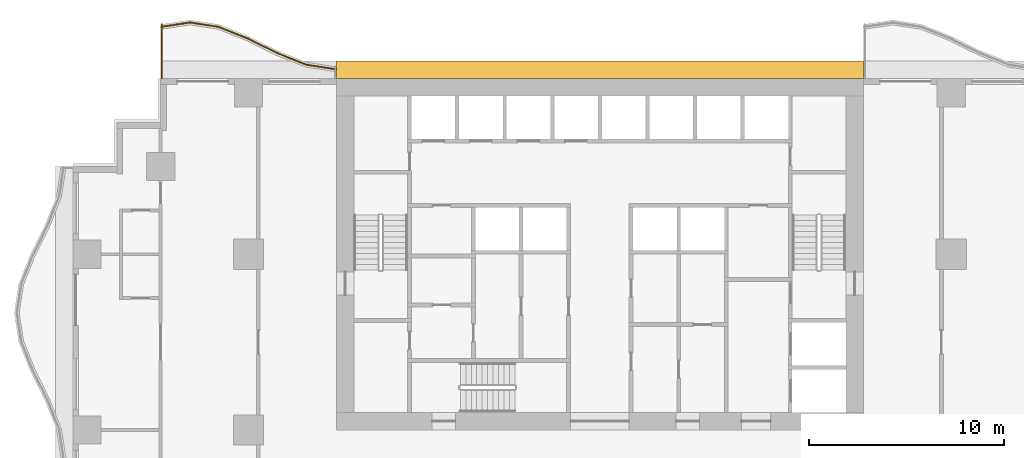
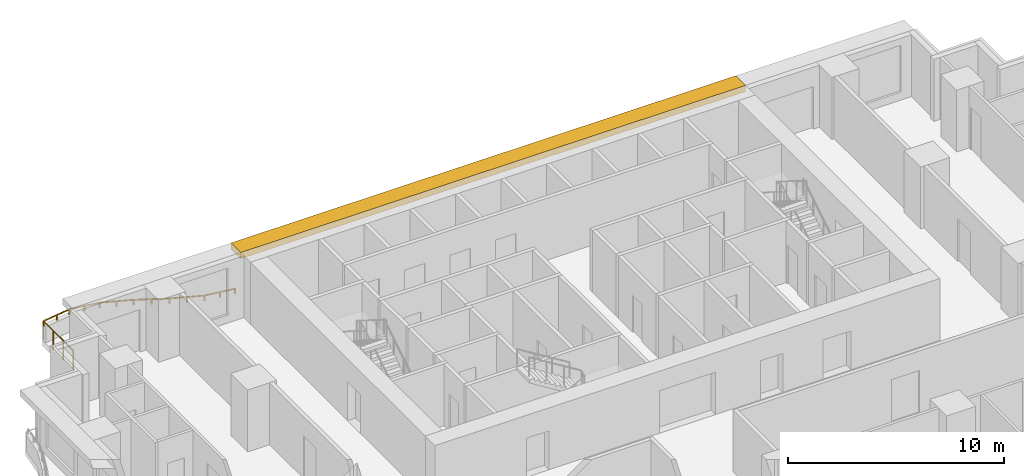
# One storey, part 13 of 14: 2 railings, 1 shading device.
"""IFC4 building model written with IfcOpenShell, lengths in metres."""

from ifc_helpers import new_model, si_unit, direction, frame, origin, origin_2d, place, context, subcontext, project, spatial, polyline, rectangle, outline, extrude, material, layer, layer_set, type_object, element, save


model = new_model("IFC4")

# Units and contexts
model_context = context("Model", 3, precision=1e-05, world=origin(), true_north=direction((0.0, 1.0)))
body_context = subcontext(model_context, "Body", "Model", "MODEL_VIEW")
ifc_project = project(units=[si_unit("LENGTHUNIT", "METRE"), si_unit("AREAUNIT", "SQUARE_METRE"), si_unit("VOLUMEUNIT", "CUBIC_METRE"), si_unit("PLANEANGLEUNIT", "RADIAN"), si_unit("MASSUNIT", "GRAM", prefix="KILO")], contexts=[model_context])

# Site, building, storey
site_placement = place(None, origin())
site = spatial("IfcSite", under=ifc_project, at=site_placement, CompositionType="ELEMENT")
building_placement = place(site_placement, origin())
building = spatial("IfcBuilding", under=site, at=building_placement, Name="Orbiselva Terraces", CompositionType="ELEMENT")
storey_placement = place(building_placement, frame((0.0, 0.0, 37.8)))
storey = spatial("IfcBuildingStorey", under=building, at=storey_placement, Name="L09", CompositionType="ELEMENT", Elevation=37.8)

# Railings
ifc_material_1 = material(Name="Bonded two-ply safety glass balustrade, stainless steel posts", Category="steel")
railing_type_1 = type_object("IfcRailingType", Name="ENV-BALUSTRADE-1200", PredefinedType="BALUSTRADE", material=ifc_material_1)
railing_1_placement = place(storey_placement, frame((-13.518879, 22.976434, 0.9)))
element("IfcRailing", 1, at=railing_1_placement, inside=storey, type_object=railing_type_1, Name="Balcony balustrade L09 NW", PredefinedType="BALUSTRADE", context=body_context, shape_type="SweptSolid", body=[
    extrude(outline(polyline([(0.028868, 0.0), (0.014434, 0.025), (-0.014434, 0.025), (-0.028868, 0.0), (-0.014434, -0.025), (0.014434, -0.025), (0.028868, 0.0)])), frame((0.0, 0.0, 0.275), z_axis=(-0.988528588529, 0.151033869252, 0.0), x_axis=(-0.151033869252, -0.988528588529, 0.0)), (0.0, 0.0, 1.0), 1.531776),
    extrude(outline(polyline([(0.028868, 0.0), (0.014434, 0.025), (-0.014434, 0.025), (-0.028868, 0.0), (-0.014434, -0.025), (0.014434, -0.025), (0.028868, 0.0)])), frame((-1.514204, 0.23135, 0.275), z_axis=(-0.92847681744, 0.371390359967, 0.0), x_axis=(-0.371390359967, -0.92847681744, 0.0)), (0.0, 0.0, 1.0), 1.634838),
    extrude(outline(polyline([(0.028868, 0.0), (0.014434, 0.025), (-0.014434, 0.025), (-0.028868, 0.0), (-0.014434, -0.025), (0.014434, -0.025), (0.028868, 0.0)])), frame((-3.032113, 0.838513, 0.275), z_axis=(-0.896416672454, 0.443212307306, 0.0), x_axis=(-0.443212307306, -0.896416672454, 0.0)), (0.0, 0.0, 1.0), 1.673329),
    extrude(outline(polyline([(0.028868, 0.0), (0.014434, 0.025), (-0.014434, 0.025), (-0.028868, 0.0), (-0.014434, -0.025), (0.014434, -0.025), (0.028868, 0.0)])), frame((-4.532113, 1.580153, 0.275), z_axis=(-0.928476561272, 0.371391000387, 0.0), x_axis=(-0.371391000387, -0.928476561272, 0.0)), (0.0, 0.0, 1.0), 1.596261),
    extrude(outline(polyline([(0.028868, 0.0), (0.014434, 0.025), (-0.014434, 0.025), (-0.028868, 0.0), (-0.014434, -0.025), (0.014434, -0.025), (0.028868, 0.0)])), frame((-6.014204, 2.17299, 0.275), z_axis=(-0.988528606898, 0.151033749027, 0.0), x_axis=(-0.151033749027, -0.988528606898, 0.0)), (0.0, 0.0, 1.0), 1.48394),
    extrude(outline(polyline([(0.028868, 0.0), (0.014434, 0.025), (-0.014434, 0.025), (-0.028868, 0.0), (-0.014434, -0.025), (0.014434, -0.025), (0.028868, 0.0)])), frame((-7.481121, 2.397115, 0.275), z_axis=(-0.988528624669, -0.151033632714, 0.0), x_axis=(0.151033632714, -0.988528624669, 0.0)), (0.0, 0.0, 1.0), 1.498309),
    extrude(rectangle(XDim=0.05, YDim=0.05, at=origin_2d()), origin(), (0.0, 0.0, 1.0), 0.25),
    extrude(rectangle(XDim=0.05, YDim=0.05, at=origin_2d()), frame((-0.757102, 0.115675, 0.0)), (0.0, 0.0, 1.0), 0.25),
    extrude(rectangle(XDim=0.05, YDim=0.05, at=origin_2d()), frame((-1.514204, 0.23135, 0.0)), (0.0, 0.0, 1.0), 0.25),
    extrude(rectangle(XDim=0.05, YDim=0.05, at=origin_2d()), frame((-2.273158, 0.534931, 0.0)), (0.0, 0.0, 1.0), 0.25),
    extrude(rectangle(XDim=0.05, YDim=0.05, at=origin_2d()), frame((-3.032113, 0.838513, 0.0)), (0.0, 0.0, 1.0), 0.25),
    extrude(rectangle(XDim=0.05, YDim=0.05, at=origin_2d()), frame((-3.782113, 1.209333, 0.0)), (0.0, 0.0, 1.0), 0.25),
    extrude(rectangle(XDim=0.05, YDim=0.05, at=origin_2d()), frame((-4.532113, 1.580153, 0.0)), (0.0, 0.0, 1.0), 0.25),
    extrude(rectangle(XDim=0.05, YDim=0.05, at=origin_2d()), frame((-5.273159, 1.876571, 0.0)), (0.0, 0.0, 1.0), 0.25),
    extrude(rectangle(XDim=0.05, YDim=0.05, at=origin_2d()), frame((-6.014204, 2.17299, 0.0)), (0.0, 0.0, 1.0), 0.25),
    extrude(rectangle(XDim=0.05, YDim=0.05, at=origin_2d()), frame((-6.747663, 2.285052, 0.0)), (0.0, 0.0, 1.0), 0.25),
    extrude(rectangle(XDim=0.05, YDim=0.05, at=origin_2d()), frame((-7.481121, 2.397115, 0.0)), (0.0, 0.0, 1.0), 0.25),
    extrude(rectangle(XDim=0.05, YDim=0.05, at=origin_2d()), frame((-8.221682, 2.283967, 0.0)), (0.0, 0.0, 1.0), 0.25),
    extrude(rectangle(XDim=0.05, YDim=0.05, at=origin_2d()), frame((-8.962242, 2.17082, 0.0)), (0.0, 0.0, 1.0), 0.25),
])
ifc_material_2 = material(Name="Stainless steel rail and posts", Category="steel")
railing_type_2 = type_object("IfcRailingType", Name="ENV-GUARD-1105", PredefinedType="BALUSTRADE", material=ifc_material_2)
railing_2_placement = place(storey_placement, frame((-22.44, 25.288239, 0.0)))
element("IfcRailing", 2, at=railing_2_placement, inside=storey, type_object=railing_type_2, Name="Balcony end guard L09 NW", PredefinedType="BALUSTRADE", context=body_context, shape_type="SweptSolid", body=[
    extrude(outline(polyline([(0.028868, 0.0), (0.014434, 0.025), (-0.014434, 0.025), (-0.028868, 0.0), (-0.014434, -0.025), (0.014434, -0.025), (0.028868, 0.0)])), frame((0.0, 0.0, 1.08), z_axis=(0.0, -1.0, 0.0), x_axis=(1.0, 0.0, 0.0)), (0.0, 0.0, 1.0), 2.763239),
    extrude(rectangle(XDim=0.05, YDim=0.05, at=origin_2d()), origin(), (0.0, 0.0, 1.0), 1.055),
    extrude(rectangle(XDim=0.05, YDim=0.05, at=origin_2d()), frame((0.0, -0.92108, 0.0)), (0.0, 0.0, 1.0), 1.055),
    extrude(rectangle(XDim=0.05, YDim=0.05, at=origin_2d()), frame((0.0, -1.842159, 0.0)), (0.0, 0.0, 1.0), 1.055),
    extrude(rectangle(XDim=0.05, YDim=0.05, at=origin_2d()), frame((0.0, -2.763239, 0.0)), (0.0, 0.0, 1.0), 1.055),
])

# Shading device
ifc_material_3 = material(Name="Terracotta baguette sunshade", Category="masonry")
ifc_layer = layer(ifc_material_3, 0.35)
ifc_layer_set = layer_set([ifc_layer], Name="Terracotta baguette sunshade")
shading_device_type = type_object("IfcShadingDeviceType", Name="ENV-SUNSHADE-900x350", PredefinedType="USERDEFINED", material=ifc_layer_set)
shading_device_placement = place(storey_placement, frame((0.0, 0.0, 3.15)))
element("IfcShadingDevice", 3, at=shading_device_placement, inside=storey, type_object=shading_device_type, Name="Sunshade band L09 CORE NORTH", ObjectType="SUNSHADE", PredefinedType="USERDEFINED", context=body_context, shape_type="SweptSolid", body=[
    extrude(outline(polyline([(13.5, 23.4), (-13.5, 23.4), (-13.5, 22.5), (13.5, 22.5), (13.5, 23.4)])), origin(), (0.0, 0.0, 1.0), 0.35),
])

save(model, "model.ifc")
